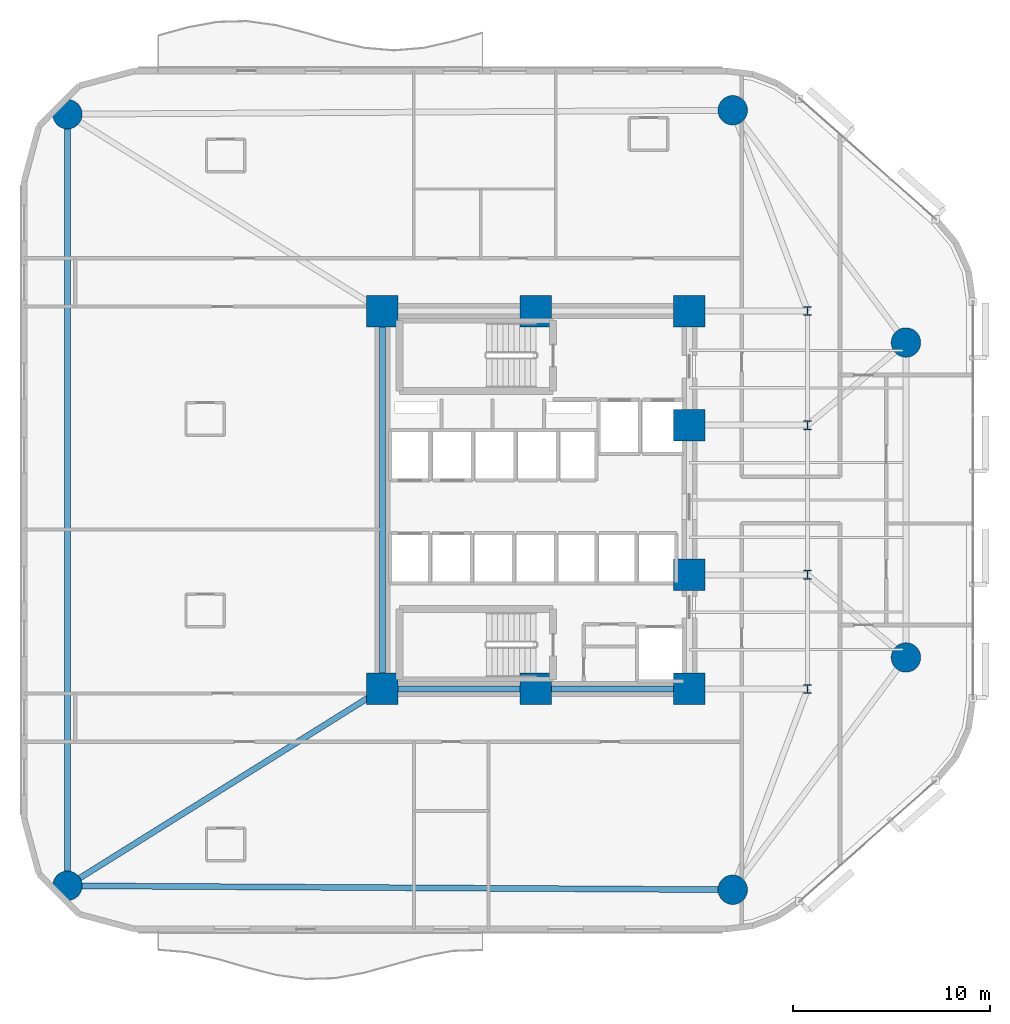
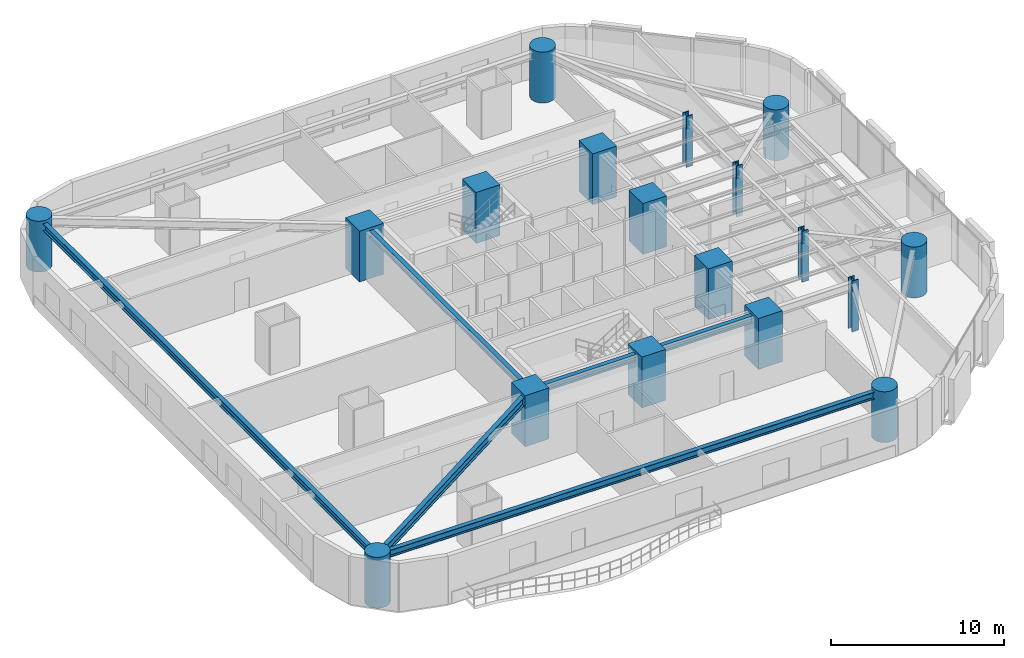
# One storey, part 1 of 16: 18 columns, 5 beams.
"""IFC4 building model written with IfcOpenShell, lengths in metres."""

from ifc_helpers import new_model, si_unit, direction, frame, origin, origin_2d, place, context, subcontext, project, spatial, rectangle, circle, i_section, extrude, material, material_profile, profile_set, type_object, element, save


model = new_model("IFC4")

# Units and contexts
model_context = context("Model", 3, precision=1e-05, world=origin(), true_north=direction((0.0, 1.0)))
body_context = subcontext(model_context, "Body", "Model", "MODEL_VIEW")
ifc_project = project(units=[si_unit("LENGTHUNIT", "METRE"), si_unit("AREAUNIT", "SQUARE_METRE"), si_unit("VOLUMEUNIT", "CUBIC_METRE"), si_unit("PLANEANGLEUNIT", "RADIAN"), si_unit("MASSUNIT", "GRAM", prefix="KILO")], contexts=[model_context])

# Site, building, storey
site_placement = place(None, origin())
site = spatial("IfcSite", under=ifc_project, at=site_placement, CompositionType="ELEMENT")
building_placement = place(site_placement, origin())
building = spatial("IfcBuilding", under=site, at=building_placement, Name="An Khanh Terracotta Commons", CompositionType="ELEMENT")
storey_placement = place(building_placement, frame((0.0, 0.0, 54.0)))
storey = spatial("IfcBuildingStorey", under=building, at=storey_placement, Name="L14", CompositionType="ELEMENT", Elevation=54.0)

# Columns
ifc_material_1 = material(Name="Concrete C70/85", Category="concrete")
ifc_material_profile_1 = material_profile(ifc_material_1, circle(Radius=0.75, at=origin_2d()), Name="CFST1500")
ifc_profile_set_1 = profile_set([ifc_material_profile_1], Name="Concrete C70/85")
column_type_1 = type_object("IfcColumnType", Name="COL-CFST1500", PredefinedType="COLUMN", material=ifc_profile_set_1)
for number, where, z_axis, x_axis, name in (
    (1, (5.60009765625, 4.39990234375, 0.0), (0.0, 0.0, 1.0), (1.0, 0.0, 0.0), "L14 Perimeter CFST Mega-Column MC-01"),
    (2, (39.39990234375, 4.199951171875, 0.0), (0.0, 0.0, 1.0), (1.0, 0.0, 0.0), "L14 Perimeter CFST Mega-Column MC-02"),
    (3, (48.199951171875, 16.0, 0.0), (0.0, 0.0, 1.0), (1.0, 0.0, 0.0), "L14 Perimeter CFST Mega-Column MC-03"),
    (4, (48.199951171875, 32.0, 0.0), (0.0, 0.0, 1.0), (1.0, 0.0, 0.0), "L14 Perimeter CFST Mega-Column MC-04"),
    (5, (39.39990234375, 43.800048828125, 0.0), (0.0, 0.0, 1.0), (1.0, 0.0, 0.0), "L14 Perimeter CFST Mega-Column MC-05"),
    (6, (5.60009765625, 43.60009765625, 0.0), (0.0, 0.0, 1.0), (1.0, 0.0, 0.0), "L14 Perimeter CFST Mega-Column MC-06"),
):
    element("IfcColumn", number, at=place(storey_placement, frame(where, z_axis=z_axis, x_axis=x_axis)), inside=storey, type_object=column_type_1, Name=name, PredefinedType="COLUMN", context=body_context, shape_type="SweptSolid", body=[
        extrude(circle(Radius=0.75, at=origin_2d()), origin(), (0.0, 0.0, 1.0), 3.60009765625),
    ])
ifc_material_2 = material(Name="Steel S460ML", Category="steel")
ifc_material_profile_2 = material_profile(ifc_material_2, i_section(OverallWidth=0.4169921875, OverallDepth=0.47705078125, WebThickness=0.035888671875, FlangeThickness=0.057373046875, FilletRadius=0.014892578125, at=origin_2d()), Name="HD400x463")
ifc_profile_set_2 = profile_set([ifc_material_profile_2], Name="Steel S460ML")
column_type_2 = type_object("IfcColumnType", Name="COL-HD400x463", PredefinedType="COLUMN", material=ifc_profile_set_2)
for number, where, z_axis, x_axis, name in (
    (7, (43.199951171875, 14.39990234375, 0.0), (0.0, 0.0, 1.0), (1.0, 0.0, 0.0), "L14 Interior Frame Column TC-01"),
    (8, (43.199951171875, 20.199951171875, 0.0), (0.0, 0.0, 1.0), (1.0, 0.0, 0.0), "L14 Interior Frame Column TC-02"),
    (9, (43.199951171875, 27.800048828125, 0.0), (0.0, 0.0, 1.0), (1.0, 0.0, 0.0), "L14 Interior Frame Column TC-03"),
    (10, (43.199951171875, 33.60009765625, 0.0), (0.0, 0.0, 1.0), (1.0, 0.0, 0.0), "L14 Interior Frame Column TC-04"),
):
    element("IfcColumn", number, at=place(storey_placement, frame(where, z_axis=z_axis, x_axis=x_axis)), inside=storey, type_object=column_type_2, Name=name, PredefinedType="COLUMN", context=body_context, shape_type="SweptSolid", body=[
        extrude(i_section(OverallWidth=0.4169921875, OverallDepth=0.47705078125, WebThickness=0.035888671875, FlangeThickness=0.057373046875, FilletRadius=0.014892578125, at=origin_2d()), origin(), (0.0, 0.0, 1.0), 3.60009765625),
    ])
ifc_material_profile_3 = material_profile(ifc_material_1, rectangle(XDim=1.60009765625, YDim=1.60009765625, at=origin_2d()), Name="RC1600x1600")
ifc_profile_set_3 = profile_set([ifc_material_profile_3], Name="Concrete C70/85")
column_type_3 = type_object("IfcColumnType", Name="COL-RC1600x1600", PredefinedType="COLUMN", material=ifc_profile_set_3)
for number, where, z_axis, x_axis, name in (
    (11, (21.60009765625, 14.39990234375, 0.0), (0.0, 0.0, 1.0), (1.0, 0.0, 0.0), "L14 Core Boundary Column CC-01"),
    (12, (29.39990234375, 14.39990234375, 0.0), (0.0, 0.0, 1.0), (1.0, 0.0, 0.0), "L14 Core Boundary Column CC-02"),
    (13, (37.199951171875, 14.39990234375, 0.0), (0.0, 0.0, 1.0), (1.0, 0.0, 0.0), "L14 Core Boundary Column CC-03"),
    (14, (37.199951171875, 20.199951171875, 0.0), (0.0, 0.0, 1.0), (1.0, 0.0, 0.0), "L14 Core Boundary Column CC-04"),
    (15, (37.199951171875, 27.800048828125, 0.0), (0.0, 0.0, 1.0), (1.0, 0.0, 0.0), "L14 Core Boundary Column CC-05"),
    (16, (37.199951171875, 33.60009765625, 0.0), (0.0, 0.0, 1.0), (1.0, 0.0, 0.0), "L14 Core Boundary Column CC-06"),
    (17, (29.39990234375, 33.60009765625, 0.0), (0.0, 0.0, 1.0), (1.0, 0.0, 0.0), "L14 Core Boundary Column CC-07"),
    (18, (21.60009765625, 33.60009765625, 0.0), (0.0, 0.0, 1.0), (1.0, 0.0, 0.0), "L14 Core Boundary Column CC-08"),
):
    element("IfcColumn", number, at=place(storey_placement, frame(where, z_axis=z_axis, x_axis=x_axis)), inside=storey, type_object=column_type_3, Name=name, PredefinedType="COLUMN", context=body_context, shape_type="SweptSolid", body=[
        extrude(rectangle(XDim=1.60009765625, YDim=1.60009765625, at=origin_2d()), origin(), (0.0, 0.0, 1.0), 3.60009765625),
    ])

# Beams
ifc_material_3 = material(Name="Steel S355J2", Category="steel")
ifc_material_profile_4 = material_profile(ifc_material_3, i_section(OverallWidth=0.300048828125, OverallDepth=0.449951171875, WebThickness=0.013916015625, FlangeThickness=0.02587890625, FilletRadius=0.027099609375, at=origin_2d()), Name="HEB450")
ifc_profile_set_4 = profile_set([ifc_material_profile_4], Name="Steel S355J2")
beam_type_1 = type_object("IfcBeamType", Name="BM-HEB450", PredefinedType="BEAM", material=ifc_profile_set_4)
beam_1_placement = place(storey_placement, frame((21.60009765625, 14.39990234375, 3.175048828125), z_axis=(0.0, 1.0, 0.0), x_axis=(-1.0, 0.0, 0.0)))
element("IfcBeam", 19, at=beam_1_placement, inside=storey, type_object=beam_type_1, Name="L14 Core West Coupling Girder", PredefinedType="BEAM", context=body_context, shape_type="SweptSolid", body=[
    extrude(i_section(OverallWidth=0.300048828125, OverallDepth=0.449951171875, WebThickness=0.013916015625, FlangeThickness=0.02587890625, FilletRadius=0.027099609375, at=origin_2d()), origin(), (0.0, 0.0, 1.0), 19.2001953125),
])
ifc_material_profile_5 = material_profile(ifc_material_3, i_section(OverallWidth=0.300048828125, OverallDepth=0.5, WebThickness=0.014404296875, FlangeThickness=0.028076171875, FilletRadius=0.027099609375, at=origin_2d()), Name="HEB500")
ifc_profile_set_5 = profile_set([ifc_material_profile_5], Name="Steel S355J2")
beam_type_2 = type_object("IfcBeamType", Name="BM-HEB500", PredefinedType="BEAM", material=ifc_profile_set_5)
beam_2_placement = place(storey_placement, frame((21.60009765625, 14.39990234375, 3.14990234375), z_axis=(1.0, 0.0, 0.0), x_axis=(0.0, 1.0, 0.0)))
element("IfcBeam", 20, at=beam_2_placement, inside=storey, type_object=beam_type_2, Name="L14 Core South Coupling Girder", PredefinedType="BEAM", context=body_context, shape_type="SweptSolid", body=[
    extrude(i_section(OverallWidth=0.300048828125, OverallDepth=0.5, WebThickness=0.014404296875, FlangeThickness=0.028076171875, FilletRadius=0.027099609375, at=origin_2d()), origin(), (0.0, 0.0, 1.0), 15.599853515625),
])
beam_3_placement = place(storey_placement, frame((5.60009765625, 4.39990234375, 3.14990234375), z_axis=(0.999982502414, -0.005915645817, 0.0), x_axis=(0.005915645817, 0.999982502414, 0.0)))
element("IfcBeam", 21, at=beam_3_placement, inside=storey, type_object=beam_type_2, Name="L14 Perimeter Ring Spandrel 1", PredefinedType="BEAM", context=body_context, shape_type="SweptSolid", body=[
    extrude(i_section(OverallWidth=0.300048828125, OverallDepth=0.5, WebThickness=0.014404296875, FlangeThickness=0.028076171875, FilletRadius=0.027099609375, at=origin_2d()), origin(), (0.0, 0.0, 1.0), 33.80029296875),
])
beam_4_placement = place(storey_placement, frame((5.60009765625, 43.60009765625, 3.14990234375), z_axis=(0.0, -1.0, 0.0), x_axis=(1.0, 0.0, 0.0)))
element("IfcBeam", 22, at=beam_4_placement, inside=storey, type_object=beam_type_2, Name="L14 Perimeter Ring Spandrel 6", PredefinedType="BEAM", context=body_context, shape_type="SweptSolid", body=[
    extrude(i_section(OverallWidth=0.300048828125, OverallDepth=0.5, WebThickness=0.014404296875, FlangeThickness=0.028076171875, FilletRadius=0.027099609375, at=origin_2d()), origin(), (0.0, 0.0, 1.0), 39.2001953125),
])
ifc_material_profile_6 = material_profile(ifc_material_3, i_section(OverallWidth=0.300048828125, OverallDepth=0.60009765625, WebThickness=0.015380859375, FlangeThickness=0.030029296875, FilletRadius=0.027099609375, at=origin_2d()), Name="HEB600")
ifc_profile_set_6 = profile_set([ifc_material_profile_6], Name="Steel S355J2")
beam_type_3 = type_object("IfcBeamType", Name="BM-HEB600", PredefinedType="BEAM", material=ifc_profile_set_6)
beam_5_placement = place(storey_placement, frame((5.60009765625, 4.39990234375, 3.10009765625), z_axis=(0.847998304005, 0.529998940003, 0.0), x_axis=(-0.529998940003, 0.847998304005, 0.0)))
element("IfcBeam", 23, at=beam_5_placement, inside=storey, type_object=beam_type_3, Name="L14 Mega-Column Tie Girder 1", PredefinedType="BEAM", context=body_context, shape_type="SweptSolid", body=[
    extrude(i_section(OverallWidth=0.300048828125, OverallDepth=0.60009765625, WebThickness=0.015380859375, FlangeThickness=0.030029296875, FilletRadius=0.027099609375, at=origin_2d()), origin(), (0.0, 0.0, 1.0), 18.867919921875),
])

save(model, "model.ifc")
